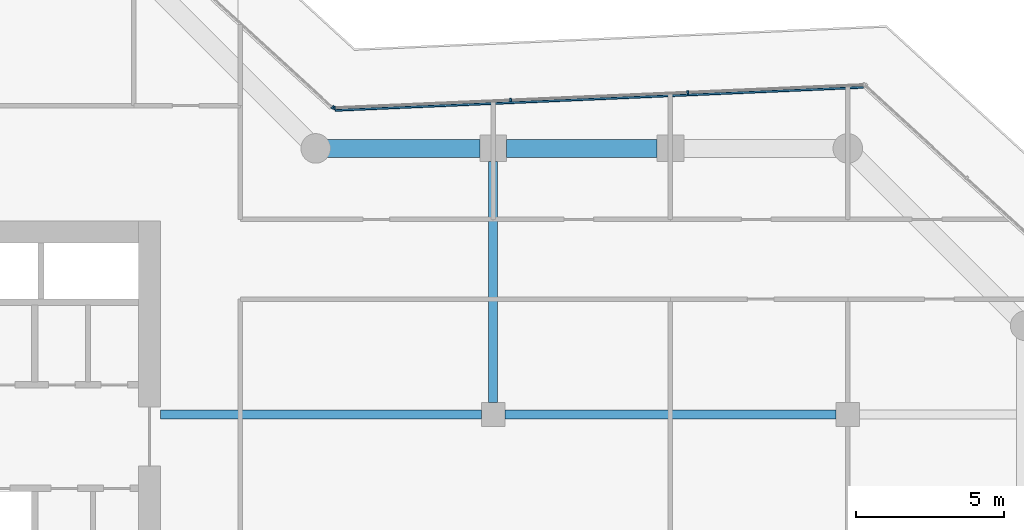
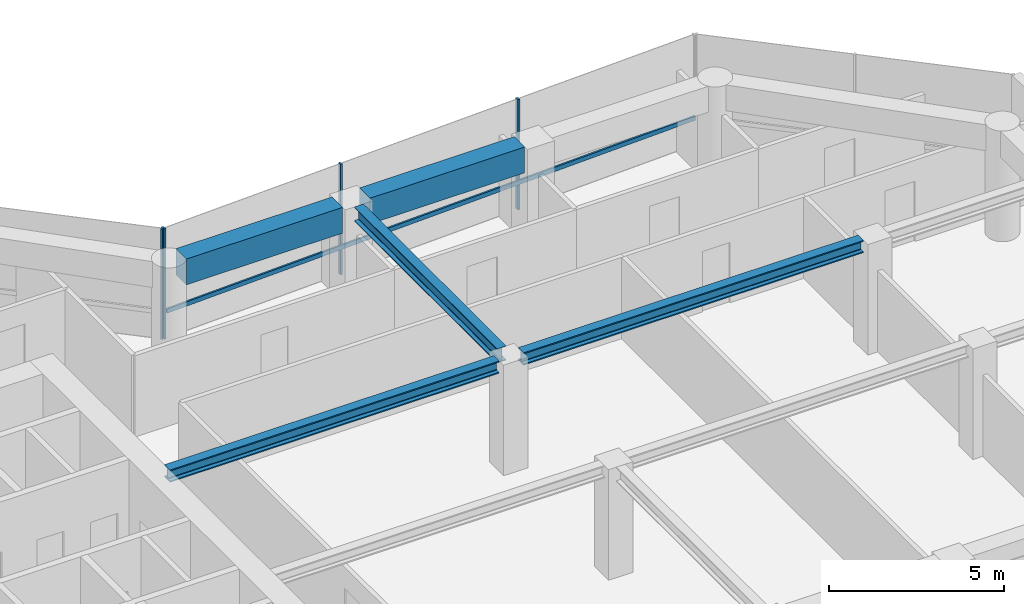
# One storey, part 8 of 24: 5 beams, 5 members, 2 elements without a shape of their own.
"""IFC4 building model written with IfcOpenShell, lengths in metres."""

import ifcopenshell
import ifcopenshell.guid

model = None  # the IFC model being written
_history = None  # IfcOwnerHistory: only IFC2X3 demands one
_inside = {}  # id of a spatial element -> (the spatial element, [elements in it])
_under = {}  # id of a project, library or spatial element -> (it, [spatial elements below it])
_declared = {}  # id of a project -> (the project, [libraries it declares])
_typed = {}  # id of a type object -> (the type object, [elements of that type])
_made_of = {}  # id of a material, layer set ... -> (it, [elements and type objects made of it])


def new_model(schema):
    """Start an empty IFC model of exactly this schema.

    Asked for "IFC4X3", IfcOpenShell would pick the latest addendum, in which some entities
    have other attributes; the version numbers below select the first issue.
    IFC2X3 requires an IfcOwnerHistory on every rooted entity: one is made here for all.
    """
    global model, _history
    if schema == "IFC4X3":
        model = ifcopenshell.file(schema_version=(4, 3, 0, 0))
    else:
        model = ifcopenshell.file(schema=schema)
    _inside.clear()
    _under.clear()
    _declared.clear()
    _typed.clear()
    _made_of.clear()
    _history = None
    if model.schema == "IFC2X3":
        org = make("IfcOrganization", Name="unknown")
        user = make(
            "IfcPersonAndOrganization",
            ThePerson=make("IfcPerson", FamilyName="unknown"),
            TheOrganization=org,
        )
        app = make(
            "IfcApplication",
            ApplicationDeveloper=org,
            Version="unknown",
            ApplicationFullName="unknown",
            ApplicationIdentifier="unknown",
        )
        _history = make(
            "IfcOwnerHistory",
            OwningUser=user,
            OwningApplication=app,
            ChangeAction="ADDED",
            CreationDate=0,
        )
    return model


def make(cls, **values):
    """One entity of the class cls with the attributes given. An attribute that is None is left unset."""
    return model.create_entity(
        cls, **{name: value for name, value in values.items() if value is not None}
    )


def rooted(cls, **values):
    """An entity with a GlobalId (a new one), such as an element, a storey or a relation."""
    return make(cls, GlobalId=ifcopenshell.guid.new(), OwnerHistory=_history, **values)


def si_unit(unit_type, name, prefix=None):
    """IfcSIUnit, for example si_unit("LENGTHUNIT", "METRE", prefix="MILLI")."""
    return make("IfcSIUnit", UnitType=unit_type, Prefix=prefix, Name=name)


def assignment(units):
    """IfcUnitAssignment: the units of a project."""
    return None if units is None else make("IfcUnitAssignment", Units=units)


def point(xyz):
    """IfcCartesianPoint."""
    return None if xyz is None else make("IfcCartesianPoint", Coordinates=xyz)


def direction(xyz):
    """IfcDirection."""
    return None if xyz is None else make("IfcDirection", DirectionRatios=xyz)


def frame(location, z_axis=None, x_axis=None):
    """IfcAxis2Placement3D, a coordinate frame: its origin and axes. An axis left out is left unset."""
    return make(
        "IfcAxis2Placement3D",
        Location=point(location),
        Axis=direction(z_axis),
        RefDirection=direction(x_axis),
    )


def frame_2d(location, x_axis=None):
    """IfcAxis2Placement2D, a coordinate frame in the plane: its origin and x axis."""
    return make(
        "IfcAxis2Placement2D", Location=point(location), RefDirection=direction(x_axis)
    )


def origin():
    """The frame at (0, 0, 0) with its axes left unset."""
    return frame((0.0, 0.0, 0.0))


def origin_2d():
    """The frame at (0, 0) in the plane with its x axis left unset."""
    return frame_2d((0.0, 0.0))


def place(relative_to, where):
    """IfcLocalPlacement: puts the frame where relative to a parent placement (None: the world)."""
    return make(
        "IfcLocalPlacement", PlacementRelTo=relative_to, RelativePlacement=where
    )


def context(
    kind, dimensions, precision=None, world=None, true_north=None, identifier=None
):
    """IfcGeometricRepresentationContext, for example the 3D "Model" context."""
    return make(
        "IfcGeometricRepresentationContext",
        ContextIdentifier=identifier,
        ContextType=kind,
        CoordinateSpaceDimension=dimensions,
        Precision=precision,
        WorldCoordinateSystem=world,
        TrueNorth=true_north,
    )


def subcontext(parent, identifier, kind, view, scale=None):
    """IfcGeometricRepresentationSubContext, for example "Body" below "Model"."""
    return make(
        "IfcGeometricRepresentationSubContext",
        ContextIdentifier=identifier,
        ContextType=kind,
        ParentContext=parent,
        TargetScale=scale,
        TargetView=view,
    )


def project(units=None, contexts=None):
    """IfcProject with its units and contexts."""
    return rooted(
        "IfcProject",
        Name="project",
        RepresentationContexts=contexts,
        UnitsInContext=assignment(units),
    )


def spatial(cls, under=None, at=None, **own):
    """A site, building, storey or space (cls), placed at a placement, below another one or the project."""
    s = rooted(cls, ObjectPlacement=at, **own)
    if under is not None:
        _under.setdefault(under.id(), (under, []))[1].append(s)
    return s


def profile(cls, at=None, kind="AREA", **sizes):
    """A parametric profile (cls). Its sizes go by their IFC names, for example OverallWidth=200.0."""
    return make(cls, ProfileType=kind, Position=at, **sizes)


def rectangle(**sizes):
    """IfcRectangleProfileDef."""
    return profile("IfcRectangleProfileDef", **sizes)


def i_section(**sizes):
    """IfcIShapeProfileDef."""
    return profile("IfcIShapeProfileDef", **sizes)


def extrude(swept, where, along, depth):
    """IfcExtrudedAreaSolid: the profile swept, set in the frame where, extruded along a direction by depth."""
    return make(
        "IfcExtrudedAreaSolid",
        SweptArea=swept,
        Position=where,
        ExtrudedDirection=direction(along),
        Depth=depth,
    )


def shape(context_of_items, identifier, shape_type, items):
    """IfcShapeRepresentation: the items that make up one representation, for example the "Body"."""
    return make(
        "IfcShapeRepresentation",
        ContextOfItems=context_of_items,
        RepresentationIdentifier=identifier,
        RepresentationType=shape_type,
        Items=items,
    )


def material(Name=None, Category=None):
    """IfcMaterial."""
    return make("IfcMaterial", Name=Name, Category=Category)


def layer(
    of_material, thickness, ventilated=None, Name=None, Category=None, Priority=None
):
    """IfcMaterialLayer: one layer of a wall or slab, of a material (None: an air gap)."""
    return make(
        "IfcMaterialLayer",
        Material=of_material,
        LayerThickness=thickness,
        IsVentilated=ventilated,
        Name=Name,
        Category=Category,
        Priority=Priority,
    )


def layer_set(layers, Name=None):
    """IfcMaterialLayerSet."""
    return make("IfcMaterialLayerSet", MaterialLayers=layers, LayerSetName=Name)


def material_profile(
    of_material, cross_section, Name=None, Category=None, Priority=None
):
    """IfcMaterialProfile: a cross section and its material."""
    return make(
        "IfcMaterialProfile",
        Name=Name,
        Material=of_material,
        Profile=cross_section,
        Priority=Priority,
        Category=Category,
    )


def profile_set(profiles, Name=None, composite=None):
    """IfcMaterialProfileSet."""
    return make(
        "IfcMaterialProfileSet",
        Name=Name,
        MaterialProfiles=profiles,
        CompositeProfile=composite,
    )


def made_of(thing, what):
    """Note that an element or type object is made of a material, layer set ...; save() writes the relation."""
    if what is not None:
        _made_of.setdefault(what.id(), (what, []))[1].append(thing)
    return thing


def type_object(cls, material=None, **own):
    """A type object (cls), such as IfcWallType, which elements share."""
    return made_of(rooted(cls, **own), material)


def element(
    cls,
    number,
    at=None,
    inside=None,
    cuts=None,
    type_object=None,
    material=None,
    context=None,
    identifier="Body",
    shape_type=None,
    held_by="IfcProductDefinitionShape",
    body=None,
    shapes=None,
    **own,
):
    """One element of the class cls, such as IfcWall. Its Tag is "e" and its number.

    at: its placement. inside: the storey or other place that contains it. cuts: it is an
    opening in that element (IfcRelVoidsElement). A single representation is given by context,
    identifier, shape_type and body (its items); several are given by shapes. held_by: the class
    of the entity that holds the representations. save() writes the other relations.
    """
    e = rooted(cls, Tag="e%d" % number, ObjectPlacement=at, **own)
    if body is not None:
        shapes = [shape(context, identifier, shape_type, body)]
    if shapes is not None:
        e.Representation = make(held_by, Representations=shapes)
    if inside is not None:
        _inside.setdefault(inside.id(), (inside, []))[1].append(e)
    if cuts is not None:
        rooted(
            "IfcRelVoidsElement", RelatingBuildingElement=cuts, RelatedOpeningElement=e
        )
    if type_object is not None:
        _typed.setdefault(type_object.id(), (type_object, []))[1].append(e)
    return made_of(e, material)


def aggregate(whole, parts):
    """IfcRelAggregates: a whole, such as a stair, and the parts it consists of."""
    return rooted("IfcRelAggregates", RelatingObject=whole, RelatedObjects=parts)


def save(model, path):
    """Write the relations noted so far, then the file.

    IfcRelAggregates (storeys below a building ...), IfcRelContainedInSpatialStructure (elements
    in a storey), IfcRelDefinesByType, IfcRelAssociatesMaterial and IfcRelDeclares: one each for
    every whole, place, type object, material and project.
    """
    for whole, parts in _under.values():
        aggregate(whole, parts)
    for where, things in _inside.values():
        rooted(
            "IfcRelContainedInSpatialStructure",
            RelatedElements=things,
            RelatingStructure=where,
        )
    for kind, things in _typed.values():
        rooted("IfcRelDefinesByType", RelatedObjects=things, RelatingType=kind)
    for what, things in _made_of.values():
        rooted("IfcRelAssociatesMaterial", RelatedObjects=things, RelatingMaterial=what)
    for by, libraries in _declared.values():
        rooted("IfcRelDeclares", RelatingContext=by, RelatedDefinitions=libraries)
    model.write(path)


model = new_model("IFC4")

# Units and contexts
model_context = context("Model", 3, precision=1e-05, world=origin(), true_north=direction((0.0, 1.0)))
body_context = subcontext(model_context, "Body", "Model", "MODEL_VIEW")
ifc_project = project(units=[si_unit("LENGTHUNIT", "METRE"), si_unit("AREAUNIT", "SQUARE_METRE"), si_unit("VOLUMEUNIT", "CUBIC_METRE"), si_unit("PLANEANGLEUNIT", "RADIAN"), si_unit("MASSUNIT", "GRAM", prefix="KILO")], contexts=[model_context])

# Site, building, storey
site_placement = place(None, origin())
site = spatial("IfcSite", under=ifc_project, at=site_placement, CompositionType="ELEMENT")
building_placement = place(site_placement, origin())
building = spatial("IfcBuilding", under=site, at=building_placement, Name="Welwitschia Terrace Campus", CompositionType="ELEMENT")
storey_placement = place(building_placement, frame((0.0, 0.0, 100.39990234375)))
storey = spatial("IfcBuildingStorey", under=building, at=storey_placement, Name="L22", CompositionType="ELEMENT", Elevation=100.39990234375)

# Beams
ifc_material_1 = material(Name="Steel S355", Category="steel")
ifc_material_profile_1 = material_profile(ifc_material_1, i_section(OverallWidth=0.306884765625, OverallDepth=0.431884765625, WebThickness=0.02099609375, FlangeThickness=0.0400390625, FilletRadius=0.027099609375, at=origin_2d()))
ifc_profile_set_1 = profile_set([ifc_material_profile_1], Name="Steel S355")
beam_type_1 = type_object("IfcBeamType", Name="Interior girder HE 400 M", PredefinedType="BEAM", material=ifc_profile_set_1)
beam_1_placement = place(storey_placement, frame((24.7509765625, 19.0, 3.634033203125), z_axis=(1.0, 0.0, 0.0), x_axis=(0.0, 1.0, 0.0)))
element("IfcBeam", 1, at=beam_1_placement, inside=storey, type_object=beam_type_1, Name="Girder GB3", PredefinedType="BEAM", context=body_context, shape_type="SweptSolid", body=[
    extrude(i_section(OverallWidth=0.306884765625, OverallDepth=0.431884765625, WebThickness=0.02099609375, FlangeThickness=0.0400390625, FilletRadius=0.027099609375, at=origin_2d()), origin(), (0.0, 0.0, 1.0), 10.8486328125),
])
beam_2_placement = place(storey_placement, frame((36.400390625, 19.0, 3.634033203125), z_axis=(1.0, 0.0, 0.0), x_axis=(0.0, 1.0, 0.0)))
element("IfcBeam", 2, at=beam_2_placement, inside=storey, type_object=beam_type_1, Name="Girder GB3", PredefinedType="BEAM", context=body_context, shape_type="SweptSolid", body=[
    extrude(i_section(OverallWidth=0.306884765625, OverallDepth=0.431884765625, WebThickness=0.02099609375, FlangeThickness=0.0400390625, FilletRadius=0.027099609375, at=origin_2d()), origin(), (0.0, 0.0, 1.0), 11.19921875),
])

# Curtain wall, members
ifc_material_2 = material(Name="Bronze anodised aluminium", Category="aluminium")
ifc_layer = layer(ifc_material_2, 0.1201171875)
ifc_layer_set = layer_set([ifc_layer], Name="Bronze anodised aluminium")
curtain_wall_type = type_object("IfcCurtainWallType", Name="Curtain wall CW2 tower 6000", PredefinedType="NOTDEFINED", material=ifc_layer_set)
curtain_wall_1_placement = place(storey_placement, origin())
curtain_wall_1 = element("IfcCurtainWall", 3, at=curtain_wall_1_placement, inside=storey, type_object=curtain_wall_type, Name="CW L22.7.0", PredefinedType="NOTDEFINED")
ifc_material_3 = material(Name="Bronze anodised aluminium", Category="aluminium")
ifc_material_profile_2 = material_profile(ifc_material_3, rectangle(XDim=0.1201171875, YDim=0.06005859375, at=origin_2d()))
ifc_profile_set_2 = profile_set([ifc_material_profile_2], Name="Bronze anodised aluminium")
member_type_1 = type_object("IfcMemberType", Name="Mullion 60x120", PredefinedType="MULLION", material=ifc_profile_set_2)
member_1_placement = place(storey_placement, frame((42.5888671875, 29.895263671875, 0.0), z_axis=(0.0, 0.0, 1.0), x_axis=(0.043619387365, -0.999048221582, 0.0)))
member_1 = element("IfcMember", 4, at=member_1_placement, type_object=member_type_1, Name="Mullion L22.7.0.1", PredefinedType="MULLION", context=body_context, shape_type="SweptSolid", body=[
    extrude(rectangle(XDim=0.1201171875, YDim=0.06005859375, at=origin_2d()), origin(), (0.0, 0.0, 1.0), 3.85009765625),
])
member_2_placement = place(storey_placement, frame((36.594482421875, 29.633544921875, 0.0), z_axis=(0.0, 0.0, 1.0), x_axis=(0.043619387365, -0.999048221582, 0.0)))
member_2 = element("IfcMember", 5, at=member_2_placement, type_object=member_type_1, Name="Mullion L22.7.0.2", PredefinedType="MULLION", context=body_context, shape_type="SweptSolid", body=[
    extrude(rectangle(XDim=0.1201171875, YDim=0.06005859375, at=origin_2d()), origin(), (0.0, 0.0, 1.0), 3.85009765625),
])
member_3_placement = place(storey_placement, frame((30.63037109375, 29.373291015625, 0.0), z_axis=(0.0, 0.0, 1.0), x_axis=(0.043619387365, -0.999048221582, 0.0)))
member_3 = element("IfcMember", 6, at=member_3_placement, type_object=member_type_1, Name="Mullion L22.7.0.3", PredefinedType="MULLION", context=body_context, shape_type="SweptSolid", body=[
    extrude(rectangle(XDim=0.1201171875, YDim=0.06005859375, at=origin_2d()), origin(), (0.0, 0.0, 1.0), 3.85009765625),
])

# Curtain wall, member
curtain_wall_2_placement = place(storey_placement, origin())
curtain_wall_2 = element("IfcCurtainWall", 7, at=curtain_wall_2_placement, inside=storey, type_object=curtain_wall_type, Name="CW L22.8.0", PredefinedType="NOTDEFINED")
member_4_placement = place(storey_placement, frame((30.578125, 29.39208984375, 0.0), z_axis=(0.0, 0.0, 1.0), x_axis=(-0.675590207616, -0.73727733681, 0.0)))
member_4 = element("IfcMember", 8, at=member_4_placement, type_object=member_type_1, Name="Mullion L22.8.0.0", PredefinedType="MULLION", context=body_context, shape_type="SweptSolid", body=[
    extrude(rectangle(XDim=0.1201171875, YDim=0.06005859375, at=origin_2d()), origin(), (0.0, 0.0, 1.0), 3.85009765625),
])
aggregate(curtain_wall_2, [member_4])

# Beams
ifc_material_4 = material(Name="Steel S355", Category="steel")
ifc_material_profile_3 = material_profile(ifc_material_4, i_section(OverallWidth=0.300048828125, OverallDepth=0.5, WebThickness=0.014404296875, FlangeThickness=0.028076171875, FilletRadius=0.027099609375, at=origin_2d()))
ifc_profile_set_3 = profile_set([ifc_material_profile_3], Name="Steel S355")
beam_type_2 = type_object("IfcBeamType", Name="Primary beam HE 500 B", PredefinedType="BEAM", material=ifc_profile_set_3)
beam_3_placement = place(storey_placement, frame((36.0, 27.549560546875, 3.60009765625), z_axis=(0.0, -1.0, 0.0), x_axis=(1.0, 0.0, 0.0)))
element("IfcBeam", 9, at=beam_3_placement, inside=storey, type_object=beam_type_2, Name="Primary beam PB3", PredefinedType="BEAM", context=body_context, shape_type="SweptSolid", body=[
    extrude(i_section(OverallWidth=0.300048828125, OverallDepth=0.5, WebThickness=0.014404296875, FlangeThickness=0.028076171875, FilletRadius=0.027099609375, at=origin_2d()), origin(), (0.0, 0.0, 1.0), 8.149169921875),
])
ifc_material_5 = material(Name="Concrete C60/75", Category="concrete")
ifc_material_profile_4 = material_profile(ifc_material_5, rectangle(XDim=0.60009765625, YDim=0.89990234375, at=origin_2d()))
ifc_profile_set_4 = profile_set([ifc_material_profile_4], Name="Concrete C60/75")
beam_type_3 = type_object("IfcBeamType", Name="Ring spandrel 600x900", PredefinedType="SPANDREL", material=ifc_profile_set_4)
beam_4_placement = place(storey_placement, frame((41.549560546875, 28.0, 3.400146484375), z_axis=(-1.0, 0.0, 0.0), x_axis=(0.0, -1.0, 0.0)))
element("IfcBeam", 10, at=beam_4_placement, inside=storey, type_object=beam_type_3, Name="Spandrel SP2", PredefinedType="SPANDREL", context=body_context, shape_type="SweptSolid", body=[
    extrude(rectangle(XDim=0.60009765625, YDim=0.89990234375, at=origin_2d()), origin(), (0.0, 0.0, 1.0), 5.09912109375),
])
beam_5_placement = place(storey_placement, frame((35.549560546875, 28.0, 3.400146484375), z_axis=(-1.0, 0.0, 0.0), x_axis=(0.0, -1.0, 0.0)))
element("IfcBeam", 11, at=beam_5_placement, inside=storey, type_object=beam_type_3, Name="Spandrel SP2", PredefinedType="SPANDREL", context=body_context, shape_type="SweptSolid", body=[
    extrude(rectangle(XDim=0.60009765625, YDim=0.89990234375, at=origin_2d()), origin(), (0.0, 0.0, 1.0), 5.149169921875),
])

# Member
ifc_material_6 = material(Name="Bronze anodised aluminium", Category="aluminium")
ifc_material_profile_5 = material_profile(ifc_material_6, rectangle(XDim=0.06005859375, YDim=0.14990234375, at=origin_2d()))
ifc_profile_set_5 = profile_set([ifc_material_profile_5], Name="Bronze anodised aluminium")
member_type_2 = type_object("IfcMemberType", Name="Transom 60x150", PredefinedType="USERDEFINED", material=ifc_profile_set_5)
member_5_placement = place(storey_placement, frame((48.527099609375, 30.064453125, 1.0), z_axis=(-0.999048542995, -0.04361202518, 0.0), x_axis=(0.04361202518, -0.999048542995, 0.0)))
member_5 = element("IfcMember", 12, at=member_5_placement, type_object=member_type_2, Name="Transom L22.7.0", ObjectType="TRANSOM", PredefinedType="USERDEFINED", context=body_context, shape_type="SweptSolid", body=[
    extrude(rectangle(XDim=0.06005859375, YDim=0.14990234375, at=origin_2d()), origin(), (0.0, 0.0, 1.0), 17.880126953125),
])

aggregate(curtain_wall_1, [member_1, member_2, member_3, member_5])

save(model, "model.ifc")
